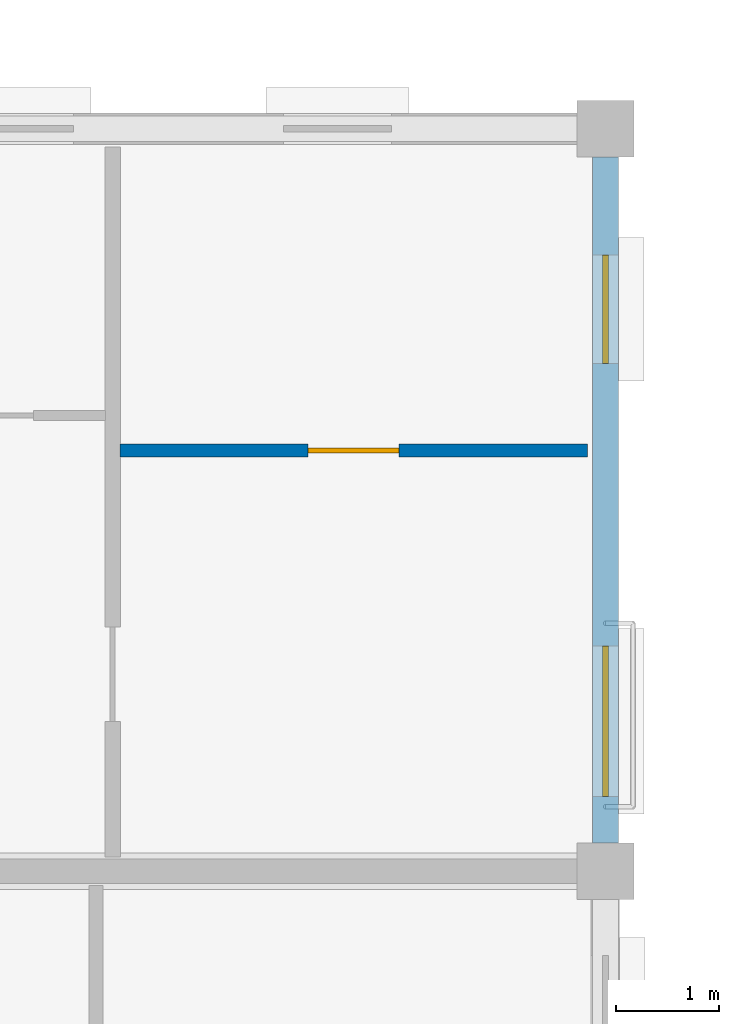
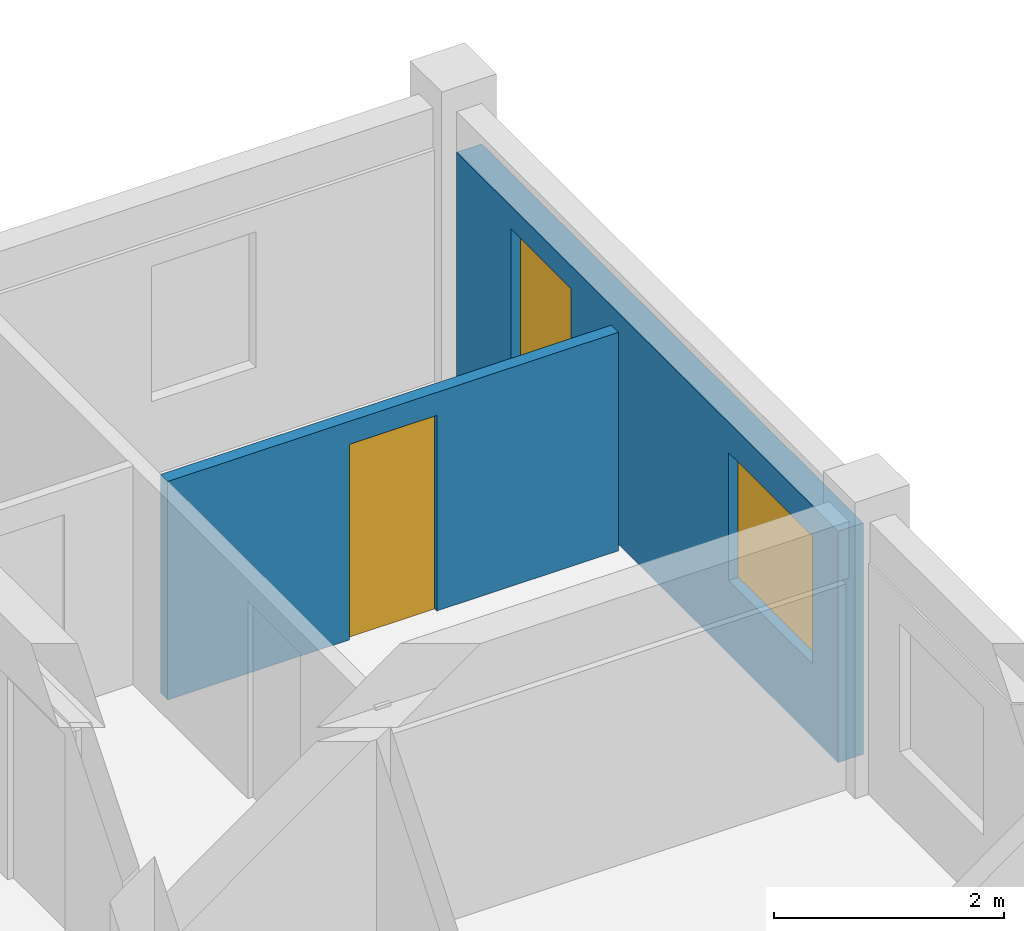
# One storey, part 59 of 75: 2 walls, 2 windows, 1 door, 3 openings.
"""IFC4 building model written with IfcOpenShell, lengths in metres."""

from ifc_helpers import new_model, si_unit, direction, frame, frame_2d, origin, place, context, subcontext, project, spatial, rectangle, extrude, material, layer, layer_set, type_object, element, fill, save


model = new_model("IFC4")

# Units and contexts
model_context = context("Model", 3, precision=1e-05, world=origin(), true_north=direction((0.0, 1.0)))
body_context = subcontext(model_context, "Body", "Model", "MODEL_VIEW")
ifc_project = project(units=[si_unit("LENGTHUNIT", "METRE"), si_unit("AREAUNIT", "SQUARE_METRE"), si_unit("VOLUMEUNIT", "CUBIC_METRE"), si_unit("PLANEANGLEUNIT", "RADIAN"), si_unit("MASSUNIT", "GRAM", prefix="KILO"), si_unit("THERMODYNAMICTEMPERATUREUNIT", "KELVIN"), si_unit("POWERUNIT", "WATT")], contexts=[model_context])

# Site, building, storey
site_placement = place(None, origin())
site = spatial("IfcSite", under=ifc_project, at=site_placement, CompositionType="ELEMENT")
building_placement = place(site_placement, origin())
building = spatial("IfcBuilding", under=site, at=building_placement, Name="Tavuni Mirador Residences", CompositionType="ELEMENT")
storey_placement = place(building_placement, frame((0.0, 0.0, 20.25)))
storey = spatial("IfcBuildingStorey", under=building, at=storey_placement, Name="L06", CompositionType="ELEMENT", Elevation=20.25)

# Wall, openings, windows
ifc_material_1 = material(Name="Sgraffito lime-rendered precast concrete C40/50", Category="concrete")
ifc_layer_1 = layer(ifc_material_1, 0.2548828125, Name="Sgraffito lime-rendered precast concrete C40/50", Category="concrete")
ifc_layer_set_1 = layer_set([ifc_layer_1], Name="Sgraffito lime-rendered precast concrete C40/50")
wall_type_1 = type_object("IfcWallType", Name="WT-EXT-PC255", PredefinedType="SOLIDWALL", material=ifc_layer_set_1)
wall_1_placement = place(storey_placement, frame((118.800048828125, 129.875, 0.0), z_axis=(0.0, 0.0, 1.0), x_axis=(0.0, 1.0, 0.0)))
wall_1 = element("IfcWall", 1, at=wall_1_placement, inside=storey, type_object=wall_type_1, Name="EW-BLK-D-L06-E06", PredefinedType="SOLIDWALL", context=body_context, shape_type="SweptSolid", body=[
    extrude(rectangle(XDim=6.64990234375, YDim=0.2548828125, at=frame_2d((3.324951171875, 0.0))), origin(), (0.0, 0.0, 1.0), 2.4599609375),
])
opening_1_placement = place(wall_1_placement, frame((0.449951171875, 0.0, 0.780029296875)))
opening_1 = element("IfcOpeningElement", 2, at=opening_1_placement, cuts=wall_1, Name="Opening WN-24", PredefinedType="OPENING", context=body_context, shape_type="SweptSolid", body=[
    extrude(rectangle(XDim=1.4599609375, YDim=1.360107421875, at=frame_2d((0.72998046875, 0.68017578125))), frame((0.0, 0.137451171875, 0.0), z_axis=(0.0, -1.0, 0.0), x_axis=(1.0, 0.0, 0.0)), (0.0, 0.0, 1.0), 0.27490234375),
])
opening_2_placement = place(wall_1_placement, frame((4.64990234375, 0.0, 0.780029296875)))
opening_2 = element("IfcOpeningElement", 3, at=opening_2_placement, cuts=wall_1, Name="Opening WN-26", PredefinedType="OPENING", context=body_context, shape_type="SweptSolid", body=[
    extrude(rectangle(XDim=1.050048828125, YDim=1.43994140625, at=frame_2d((0.52490234375, 0.719970703125))), frame((0.0, 0.137451171875, 0.0), z_axis=(0.0, -1.0, 0.0), x_axis=(1.0, 0.0, 0.0)), (0.0, 0.0, 1.0), 0.27490234375),
])
ifc_material_2 = material(Name="Laminated solar-control glass", Category="glass")
window_type_1 = type_object("IfcWindowType", Name="WNT-24", PartitioningType="SINGLE_PANEL", PredefinedType="WINDOW", material=ifc_material_2)
window_1_placement = place(opening_1_placement, origin())
window_1 = element("IfcWindow", 4, at=window_1_placement, inside=storey, type_object=window_type_1, Name="WIN-1667", OverallHeight=1.360107421875, OverallWidth=1.4599609375, PartitioningType="SINGLE_PANEL", PredefinedType="WINDOW", context=body_context, shape_type="SweptSolid", body=[
    extrude(rectangle(XDim=1.4599609375, YDim=1.360107421875, at=frame_2d((0.72998046875, 0.68017578125))), frame((0.0, 0.030029296875, 0.0), z_axis=(0.0, -1.0, 0.0), x_axis=(1.0, 0.0, 0.0)), (0.0, 0.0, 1.0), 0.06005859375),
])
fill(opening_1, window_1)
window_type_2 = type_object("IfcWindowType", Name="WNT-26", PartitioningType="SINGLE_PANEL", PredefinedType="WINDOW", material=ifc_material_2)
window_2_placement = place(opening_2_placement, origin())
window_2 = element("IfcWindow", 5, at=window_2_placement, inside=storey, type_object=window_type_2, Name="WIN-1668", OverallHeight=1.43994140625, OverallWidth=1.050048828125, PartitioningType="SINGLE_PANEL", PredefinedType="WINDOW", context=body_context, shape_type="SweptSolid", body=[
    extrude(rectangle(XDim=1.050048828125, YDim=1.43994140625, at=frame_2d((0.52490234375, 0.719970703125))), frame((0.0, 0.030029296875, 0.0), z_axis=(0.0, -1.0, 0.0), x_axis=(1.0, 0.0, 0.0)), (0.0, 0.0, 1.0), 0.06005859375),
])
fill(opening_2, window_2)

# Wall, opening, door
ifc_material_3 = material(Name="Acoustic gypsum and concrete block partition", Category="concrete")
ifc_layer_2 = layer(ifc_material_3, 0.125, Name="Acoustic gypsum and concrete block partition", Category="concrete")
ifc_layer_set_2 = layer_set([ifc_layer_2], Name="Acoustic gypsum and concrete block partition")
wall_type_2 = type_object("IfcWallType", Name="WT-PART125", PredefinedType="PARTITIONING", material=ifc_layer_set_2)
wall_2_placement = place(storey_placement, frame((114.090087890625, 133.679931640625, 0.0), z_axis=(0.0, 0.0, 1.0), x_axis=(1.0, 0.0, 0.0)))
wall_2 = element("IfcWall", 6, at=wall_2_placement, inside=storey, type_object=wall_type_2, Name="PW-BLK-D-L06-E06-OUT", PredefinedType="PARTITIONING", context=body_context, shape_type="SweptSolid", body=[
    extrude(rectangle(XDim=4.534912109375, YDim=0.125, at=frame_2d((2.267578125, 0.0))), origin(), (0.0, 0.0, 1.0), 2.324951171875),
])
opening_3_placement = place(wall_2_placement, frame((1.827392578125, 0.0, 0.0)))
opening_3 = element("IfcOpeningElement", 7, at=opening_3_placement, cuts=wall_2, Name="Opening D-08", PredefinedType="OPENING", context=body_context, shape_type="SweptSolid", body=[
    extrude(rectangle(XDim=0.8798828125, YDim=2.080078125, at=frame_2d((0.43994140625, 1.0400390625))), frame((0.0, 0.072509765625, 0.0), z_axis=(0.0, -1.0, 0.0), x_axis=(1.0, 0.0, 0.0)), (0.0, 0.0, 1.0), 0.14501953125),
])
ifc_material_4 = material(Name="Solid core iroko timber", Category="wood")
door_type = type_object("IfcDoorType", Name="DT-BED880", OperationType="NOTDEFINED", PredefinedType="DOOR", material=ifc_material_4)
door_placement = place(opening_3_placement, origin())
door = element("IfcDoor", 8, at=door_placement, inside=storey, type_object=door_type, Name="DR-4547", OperationType="SINGLE_SWING_RIGHT", OverallHeight=2.080078125, OverallWidth=0.8798828125, PredefinedType="DOOR", context=body_context, shape_type="SweptSolid", body=[
    extrude(rectangle(XDim=0.8798828125, YDim=2.080078125, at=frame_2d((0.43994140625, 1.0400390625))), frame((0.0, 0.02490234375, 0.0), z_axis=(0.0, -1.0, 0.0), x_axis=(1.0, 0.0, 0.0)), (0.0, 0.0, 1.0), 0.050048828125),
])
fill(opening_3, door)

save(model, "model.ifc")
